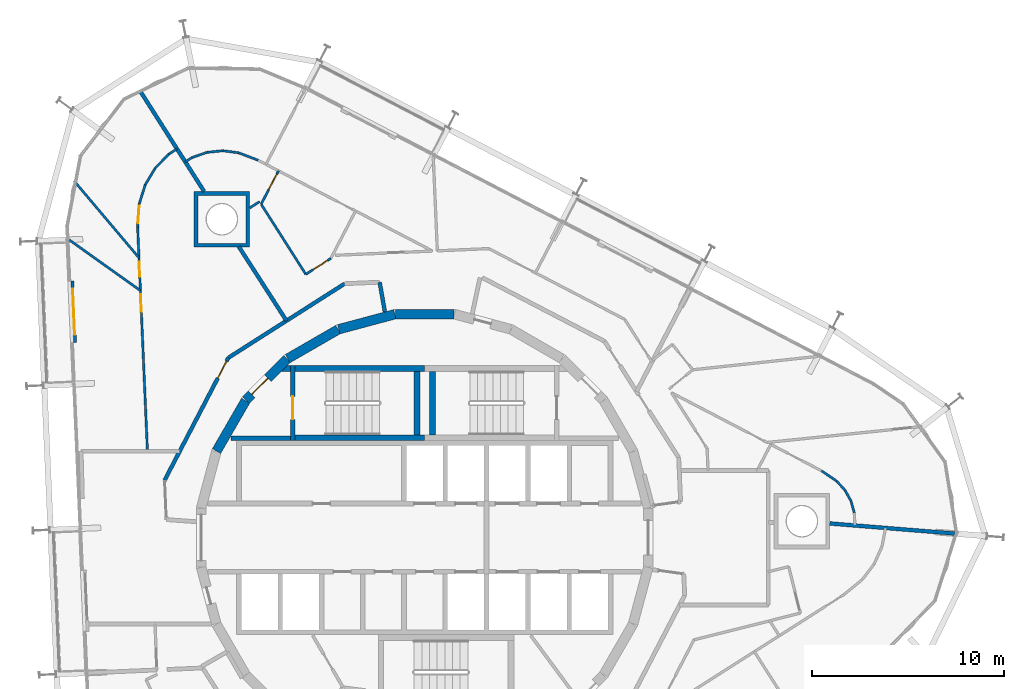
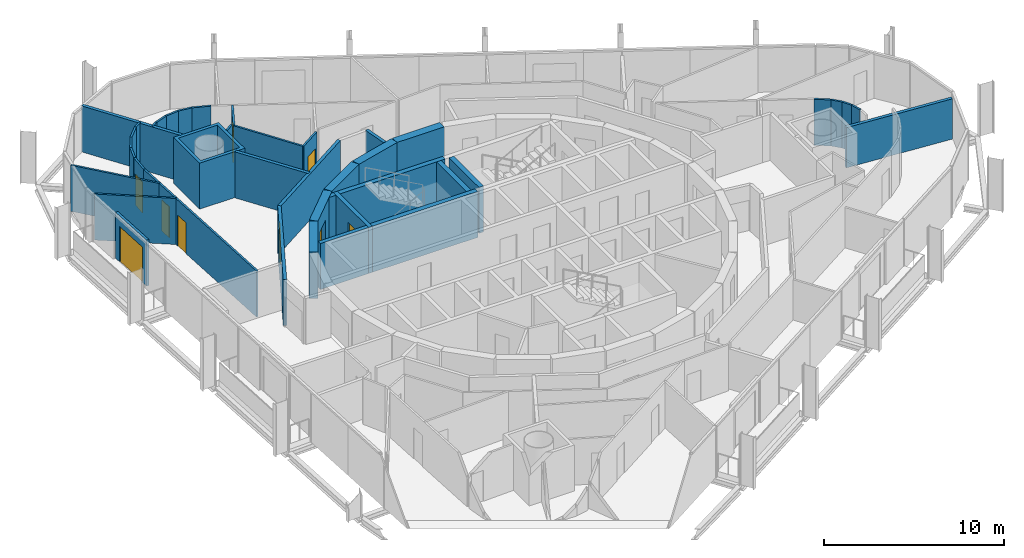
# One storey, part 15 of 18: 41 walls, 9 doors, 9 openings.
"""IFC4 building model written with IfcOpenShell, lengths in metres."""

from ifc_helpers import new_model, si_unit, direction, frame, frame_2d, origin, place, context, subcontext, project, spatial, polyline, rectangle, outline, extrude, material, layer, layer_set, type_object, element, fill, save


model = new_model("IFC4")

# Units and contexts
model_context = context("Model", 3, precision=1e-05, world=origin(), true_north=direction((0.0, 1.0)))
body_context = subcontext(model_context, "Body", "Model", "MODEL_VIEW")
ifc_project = project(units=[si_unit("LENGTHUNIT", "METRE"), si_unit("AREAUNIT", "SQUARE_METRE"), si_unit("VOLUMEUNIT", "CUBIC_METRE"), si_unit("PLANEANGLEUNIT", "RADIAN"), si_unit("MASSUNIT", "GRAM", prefix="KILO")], contexts=[model_context])

# Site, building, storey
site_placement = place(None, origin())
site = spatial("IfcSite", under=ifc_project, at=site_placement, CompositionType="ELEMENT")
building_placement = place(site_placement, origin())
building = spatial("IfcBuilding", under=site, at=building_placement, Name="Spindle Arch Residences", CompositionType="ELEMENT")
storey_placement = place(building_placement, frame((0.0, 0.0, 247.699951171875)))
storey = spatial("IfcBuildingStorey", under=building, at=storey_placement, Name="L63", CompositionType="ELEMENT", Elevation=247.699951171875)

# Walls
ifc_material_1 = material(Name="Concrete C50/60", Category="concrete")
ifc_layer_1 = layer(ifc_material_1, 0.5)
ifc_layer_set_1 = layer_set([ifc_layer_1], Name="Core outline wall 500")
wall_type_1 = type_object("IfcWallType", Name="Core outline wall 500", PredefinedType="SHEAR", material=ifc_layer_set_1)
for number, where, z_axis, x_axis, name in (
    (1, (1.516357421875, 11.647216796875, 0.0), (0.0, 0.0, 1.0), (-1.0, 0.0, 0.0), "Core outline wall 12"),
    (2, (-1.5498046875, 11.642822265625, 0.0), (0.0, 0.0, 1.0), (-0.965948410781, -0.258734743916, 0.0), "Core outline wall 13"),
    (3, (-4.510498046875, 10.84521484375, 0.0), (0.0, 0.0, 1.0), (-0.865975092491, -0.500087131594, 0.0), "Core outline wall 14"),
):
    element("IfcWall", number, at=place(storey_placement, frame(where, z_axis=z_axis, x_axis=x_axis)), inside=storey, type_object=wall_type_1, Name=name, PredefinedType="SHEAR", context=body_context, shape_type="SweptSolid", body=[
        extrude(rectangle(XDim=3.03271484375, YDim=0.5, at=frame_2d((1.516357421875, 0.0))), origin(), (0.0, 0.0, 1.0), 3.1201171875),
    ])

# Wall, opening, door
wall_1_placement = place(storey_placement, frame((-7.163818359375, 9.30810546875, 0.0), z_axis=(0.0, 0.0, 1.0), x_axis=(-0.707106781187, -0.707106781187, 0.0)))
wall_1 = element("IfcWall", 4, at=wall_1_placement, inside=storey, type_object=wall_type_1, Name="Core outline wall 15", PredefinedType="SHEAR", context=body_context, shape_type="SweptSolid", body=[
    extrude(rectangle(XDim=3.032470703125, YDim=0.5, at=frame_2d((1.51611328125, 0.0))), origin(), (0.0, 0.0, 1.0), 3.1201171875),
])
opening_1_placement = place(wall_1_placement, frame((1.416259765625, 0.0, 0.0)))
opening_1 = element("IfcOpeningElement", 5, at=opening_1_placement, cuts=wall_1, Name="Opening R6C0-AD02", PredefinedType="OPENING", context=body_context, shape_type="SweptSolid", body=[
    extrude(rectangle(XDim=1.199951171875, YDim=2.10009765625, at=frame_2d((0.60009765625, 1.050048828125))), frame((0.0, 0.260009765625, 0.0), z_axis=(0.0, -1.0, 0.0), x_axis=(1.0, 0.0, 0.0)), (0.0, 0.0, 1.0), 0.52001953125),
])
ifc_material_2 = material(Name="Steel, fire-resisting door", Category="steel")
door_type_1 = type_object("IfcDoorType", Name="Stair airlock door 1200x2100", OperationType="SINGLE_SWING_LEFT", PredefinedType="DOOR", material=ifc_material_2)
door_1_placement = place(opening_1_placement, origin())
door_1 = element("IfcDoor", 6, at=door_1_placement, inside=storey, type_object=door_type_1, Name="Stair airlock door R6C0-AD02", OperationType="SINGLE_SWING_RIGHT", OverallHeight=2.10009765625, OverallWidth=1.199951171875, PredefinedType="DOOR", context=body_context, shape_type="SweptSolid", body=[
    extrude(rectangle(XDim=1.199951171875, YDim=2.10009765625, at=frame_2d((0.60009765625, 1.050048828125))), frame((0.0, 0.02490234375, 0.0), z_axis=(0.0, -1.0, 0.0), x_axis=(1.0, 0.0, 0.0)), (0.0, 0.0, 1.0), 0.050048828125),
])
fill(opening_1, door_1)

# Walls
wall_2_placement = place(storey_placement, frame((-9.32861328125, 7.13671875, 0.0), z_axis=(0.0, 0.0, 1.0), x_axis=(-0.500087131594, -0.865975092491, 0.0)))
element("IfcWall", 7, at=wall_2_placement, inside=storey, type_object=wall_type_1, Name="Core outline wall 16", PredefinedType="SHEAR", context=body_context, shape_type="SweptSolid", body=[
    extrude(rectangle(XDim=3.03271484375, YDim=0.5, at=frame_2d((1.516357421875, 0.0))), origin(), (0.0, 0.0, 1.0), 3.1201171875),
])
ifc_material_3 = material(Name="Calcium silicate block, plastered")
ifc_layer_2 = layer(ifc_material_3, 0.199951171875)
ifc_layer_set_2 = layer_set([ifc_layer_2], Name="Corridor wall 200")
wall_type_2 = type_object("IfcWallType", Name="Corridor wall 200", PredefinedType="STANDARD", material=ifc_layer_set_2)
wall_3_placement = place(storey_placement, frame((-2.07373046875, 11.76123046875, 0.0), z_axis=(0.0, 0.0, 1.0), x_axis=(-0.173679082312, 0.984802303189, 0.0)))
element("IfcWall", 8, at=wall_3_placement, inside=storey, type_object=wall_type_2, Name="Corridor wall R6C0-W010", PredefinedType="STANDARD", context=body_context, shape_type="SweptSolid", body=[
    extrude(rectangle(XDim=1.572998046875, YDim=0.199951171875, at=frame_2d((0.78662109375, 0.0))), origin(), (0.0, 0.0, 1.0), 3.1201171875),
])
wall_4_placement = place(storey_placement, frame((-4.171630859375, 13.230712890625, 0.0), z_axis=(0.0, 0.0, 1.0), x_axis=(-0.843388394728, -0.537304397561, 0.0)))
element("IfcWall", 9, at=wall_4_placement, inside=storey, type_object=wall_type_2, Name="Corridor wall R6C0-W012", PredefinedType="STANDARD", context=body_context, shape_type="SweptSolid", body=[
    extrude(rectangle(XDim=7.180908203125, YDim=0.199951171875, at=frame_2d((3.59033203125, 0.0))), origin(), (0.0, 0.0, 1.0), 3.1201171875),
])
ifc_material_4 = material(Name="Plasterboard on steel studs", Category="steel")
ifc_layer_3 = layer(ifc_material_4, 0.1201171875)
ifc_layer_set_3 = layer_set([ifc_layer_3], Name="Flat partition 120")
wall_type_3 = type_object("IfcWallType", Name="Flat partition 120", PredefinedType="PARTITIONING", material=ifc_layer_set_3)
wall_5_placement = place(storey_placement, frame((20.67431640625, 3.4814453125, 0.0), z_axis=(0.0, 0.0, 1.0), x_axis=(0.827420148173, -0.56158338508, 0.0)))
element("IfcWall", 10, at=wall_5_placement, inside=storey, type_object=wall_type_3, Name="Flat partition R6C0-W048", PredefinedType="PARTITIONING", context=body_context, shape_type="SweptSolid", body=[
    extrude(rectangle(XDim=0.94677734375, YDim=0.1201171875, at=frame_2d((0.473388671875, 0.0))), origin(), (0.0, 0.0, 1.0), 3.1201171875),
])
for number, where, z_axis, x_axis, name in (
    (11, (21.457763671875, 2.94970703125, 0.0), (0.0, 0.0, 1.0), (0.675621263191, -0.737248878415, 0.0), "Flat partition R6C0-W049"),
    (12, (21.891357421875, 2.4765625, 0.0), (0.0, 0.0, 1.0), (0.487224522605, -0.87327673997, 0.0), "Flat partition R6C0-W050"),
):
    element("IfcWall", number, at=place(storey_placement, frame(where, z_axis=z_axis, x_axis=x_axis)), inside=storey, type_object=wall_type_3, Name=name, PredefinedType="PARTITIONING", context=body_context, shape_type="SweptSolid", body=[
        extrude(rectangle(XDim=0.641845703125, YDim=0.1201171875, at=frame_2d((0.32080078125, 0.0))), origin(), (0.0, 0.0, 1.0), 3.1201171875),
    ])
wall_6_placement = place(storey_placement, frame((22.2041015625, 1.916015625, 0.0), z_axis=(0.0, 0.0, 1.0), x_axis=(0.273013196411, -0.962010288191, 0.0)))
element("IfcWall", 13, at=wall_6_placement, inside=storey, type_object=wall_type_3, Name="Flat partition R6C0-W051", PredefinedType="PARTITIONING", context=body_context, shape_type="SweptSolid", body=[
    extrude(rectangle(XDim=0.64208984375, YDim=0.1201171875, at=frame_2d((0.321044921875, 0.0))), origin(), (0.0, 0.0, 1.0), 3.1201171875),
])

# Wall, opening, door
wall_7_placement = place(storey_placement, frame((-4.88818359375, 14.552734375, 0.0), z_axis=(0.0, 0.0, 1.0), x_axis=(-0.843349608892, -0.537365273517, 0.0)))
wall_7 = element("IfcWall", 14, at=wall_7_placement, inside=storey, type_object=wall_type_3, Name="Flat partition R6C0-W061", PredefinedType="PARTITIONING", context=body_context, shape_type="SweptSolid", body=[
    extrude(rectangle(XDim=1.5478515625, YDim=0.1201171875, at=frame_2d((0.77392578125, 0.0))), origin(), (0.0, 0.0, 1.0), 3.1201171875),
])
opening_2_placement = place(wall_7_placement, frame((0.199951171875, 0.0, 0.0)))
opening_2 = element("IfcOpeningElement", 15, at=opening_2_placement, cuts=wall_7, Name="Opening R6C0-ID08", PredefinedType="OPENING", context=body_context, shape_type="SweptSolid", body=[
    extrude(rectangle(XDim=0.89990234375, YDim=2.10009765625, at=frame_2d((0.449951171875, 1.050048828125))), frame((0.0, 0.070068359375, 0.0), z_axis=(0.0, -1.0, 0.0), x_axis=(1.0, 0.0, 0.0)), (0.0, 0.0, 1.0), 0.14013671875),
])
ifc_material_5 = material(Name="Timber door set", Category="wood")
door_type_2 = type_object("IfcDoorType", Name="Room door 900x2100", OperationType="NOTDEFINED", PredefinedType="DOOR", material=ifc_material_5)
door_2_placement = place(opening_2_placement, origin())
door_2 = element("IfcDoor", 16, at=door_2_placement, inside=storey, type_object=door_type_2, Name="Room door R6C0-ID08", OperationType="SINGLE_SWING_RIGHT", OverallHeight=2.10009765625, OverallWidth=0.89990234375, PredefinedType="DOOR", context=body_context, shape_type="SweptSolid", body=[
    extrude(rectangle(XDim=0.89990234375, YDim=2.10009765625, at=frame_2d((0.449951171875, 1.050048828125))), frame((0.0, 0.02490234375, 0.0), z_axis=(0.0, -1.0, 0.0), x_axis=(1.0, 0.0, 0.0)), (0.0, 0.0, 1.0), 0.050048828125),
])
fill(opening_2, door_2)

# Walls
wall_8_placement = place(storey_placement, frame((-6.193603515625, 13.720947265625, 0.0), z_axis=(0.0, 0.0, 1.0), x_axis=(-0.537316807294, 0.843380488629, 0.0)))
element("IfcWall", 17, at=wall_8_placement, inside=storey, type_object=wall_type_3, Name="Flat partition R6C0-W062", PredefinedType="PARTITIONING", context=body_context, shape_type="SweptSolid", body=[
    extrude(rectangle(XDim=4.33056640625, YDim=0.1201171875, at=frame_2d((2.165283203125, 0.0))), origin(), (0.0, 0.0, 1.0), 3.1201171875),
])
wall_9_placement = place(storey_placement, frame((-8.603515625, 17.50390625, 0.0), z_axis=(0.0, 0.0, 1.0), x_axis=(-0.843265746233, -0.537496866251, 0.0)))
element("IfcWall", 18, at=wall_9_placement, inside=storey, type_object=wall_type_3, Name="Flat partition R6C0-W063", PredefinedType="PARTITIONING", context=body_context, shape_type="SweptSolid", body=[
    extrude(rectangle(XDim=0.610107421875, YDim=0.1201171875, at=frame_2d((0.30517578125, 0.0))), origin(), (0.0, 0.0, 1.0), 3.1201171875),
])

# Wall, opening, door
wall_10_placement = place(storey_placement, frame((-7.6162109375, 19.1103515625, 0.0), z_axis=(0.0, 0.0, 1.0), x_axis=(-0.461764840073, -0.887002385832, 0.0)))
wall_10 = element("IfcWall", 19, at=wall_10_placement, inside=storey, type_object=wall_type_3, Name="Flat partition R6C0-W069", PredefinedType="PARTITIONING", context=body_context, shape_type="SweptSolid", body=[
    extrude(rectangle(XDim=1.958251953125, YDim=0.1201171875, at=frame_2d((0.97900390625, 0.0))), origin(), (0.0, 0.0, 1.0), 3.1201171875),
])
opening_3_placement = place(wall_10_placement, frame((0.199951171875, 0.0, 0.0)))
opening_3 = element("IfcOpeningElement", 20, at=opening_3_placement, cuts=wall_10, Name="Opening R6C0-ID11", PredefinedType="OPENING", context=body_context, shape_type="SweptSolid", body=[
    extrude(rectangle(XDim=0.89990234375, YDim=2.10009765625, at=frame_2d((0.449951171875, 1.050048828125))), frame((0.0, 0.070068359375, 0.0), z_axis=(0.0, -1.0, 0.0), x_axis=(1.0, 0.0, 0.0)), (0.0, 0.0, 1.0), 0.14013671875),
])
door_3_placement = place(opening_3_placement, origin())
door_3 = element("IfcDoor", 21, at=door_3_placement, inside=storey, type_object=door_type_2, Name="Room door R6C0-ID11", OperationType="SINGLE_SWING_RIGHT", OverallHeight=2.10009765625, OverallWidth=0.89990234375, PredefinedType="DOOR", context=body_context, shape_type="SweptSolid", body=[
    extrude(rectangle(XDim=0.89990234375, YDim=2.10009765625, at=frame_2d((0.449951171875, 1.050048828125))), frame((0.0, 0.02490234375, 0.0), z_axis=(0.0, -1.0, 0.0), x_axis=(1.0, 0.0, 0.0)), (0.0, 0.0, 1.0), 0.050048828125),
])
fill(opening_3, door_3)

# Walls
wall_11_placement = place(storey_placement, frame((-12.47314453125, 19.5791015625, 0.0), z_axis=(0.0, 0.0, 1.0), x_axis=(0.843467404643, 0.537180358264, 0.0)))
element("IfcWall", 22, at=wall_11_placement, inside=storey, type_object=wall_type_3, Name="Flat partition R6C0-W070", PredefinedType="PARTITIONING", context=body_context, shape_type="SweptSolid", body=[
    extrude(rectangle(XDim=0.41455078125, YDim=0.1201171875, at=frame_2d((0.207275390625, 0.0))), origin(), (0.0, 0.0, 1.0), 3.1201171875),
])
for number, where, z_axis, x_axis, name in (
    (23, (-12.12353515625, 19.8017578125, 0.0), (0.0, 0.0, 1.0), (0.944540495207, 0.328394964813, 0.0), "Flat partition R6C0-W071"),
    (24, (-11.340576171875, 20.073974609375, 0.0), (0.0, 0.0, 1.0), (0.994821992483, 0.101632688009, 0.0), "Flat partition R6C0-W072"),
    (25, (-10.51611328125, 20.158203125, 0.0), (0.0, 0.0, 1.0), (0.991412138518, -0.130774506685, 0.0), "Flat partition R6C0-W073"),
):
    element("IfcWall", number, at=place(storey_placement, frame(where, z_axis=z_axis, x_axis=x_axis)), inside=storey, type_object=wall_type_3, Name=name, PredefinedType="PARTITIONING", context=body_context, shape_type="SweptSolid", body=[
        extrude(rectangle(XDim=0.828857421875, YDim=0.1201171875, at=frame_2d((0.41455078125, 0.0))), origin(), (0.0, 0.0, 1.0), 3.1201171875),
    ])
wall_12_placement = place(storey_placement, frame((-9.6943359375, 20.0498046875, 0.0), z_axis=(0.0, 0.0, 1.0), x_axis=(0.934647766222, -0.35557496129, 0.0)))
element("IfcWall", 26, at=wall_12_placement, inside=storey, type_object=wall_type_3, Name="Flat partition R6C0-W074", PredefinedType="PARTITIONING", context=body_context, shape_type="SweptSolid", body=[
    extrude(rectangle(XDim=1.0869140625, YDim=0.1201171875, at=frame_2d((0.54345703125, 0.0))), origin(), (0.0, 0.0, 1.0), 3.1201171875),
])
wall_13_placement = place(storey_placement, frame((-12.903076171875, 20.253662109375, 0.0), z_axis=(0.0, 0.0, 1.0), x_axis=(-0.843404143432, -0.537279676557, 0.0)))
element("IfcWall", 27, at=wall_13_placement, inside=storey, type_object=wall_type_3, Name="Flat partition R6C0-W075", PredefinedType="PARTITIONING", context=body_context, shape_type="SweptSolid", body=[
    extrude(rectangle(XDim=0.508056640625, YDim=0.1201171875, at=frame_2d((0.25390625, 0.0))), origin(), (0.0, 0.0, 1.0), 3.1201171875),
])
for number, where, z_axis, x_axis, name in (
    (28, (-13.33154296875, 19.980712890625, 0.0), (0.0, 0.0, 1.0), (-0.69669736192, -0.717365169138, 0.0), "Flat partition R6C0-W076"),
    (29, (-14.039306640625, 19.251953125, 0.0), (0.0, 0.0, 1.0), (-0.512586118981, -0.858635819558, 0.0), "Flat partition R6C0-W077"),
    (30, (-14.56005859375, 18.379638671875, 0.0), (0.0, 0.0, 1.0), (-0.300682714382, -0.953724229152, 0.0), "Flat partition R6C0-W078"),
):
    element("IfcWall", number, at=place(storey_placement, frame(where, z_axis=z_axis, x_axis=x_axis)), inside=storey, type_object=wall_type_3, Name=name, PredefinedType="PARTITIONING", context=body_context, shape_type="SweptSolid", body=[
        extrude(rectangle(XDim=1.015869140625, YDim=0.1201171875, at=frame_2d((0.5078125, 0.0))), origin(), (0.0, 0.0, 1.0), 3.1201171875),
    ])

# Wall, opening, door
wall_14_placement = place(storey_placement, frame((-14.865478515625, 17.410888671875, 0.0), z_axis=(0.0, 0.0, 1.0), x_axis=(-0.072618457011, -0.997359794508, 0.0)))
wall_14 = element("IfcWall", 31, at=wall_14_placement, inside=storey, type_object=wall_type_3, Name="Flat partition R6C0-W079", PredefinedType="PARTITIONING", context=body_context, shape_type="SweptSolid", body=[
    extrude(rectangle(XDim=1.22705078125, YDim=0.1201171875, at=frame_2d((0.613525390625, 0.0))), origin(), (0.0, 0.0, 1.0), 3.1201171875),
])
opening_4_placement = place(wall_14_placement, frame((0.1201171875, 0.0, 0.0)))
opening_4 = element("IfcOpeningElement", 32, at=opening_4_placement, cuts=wall_14, Name="Opening R6C0-ID12", PredefinedType="OPENING", context=body_context, shape_type="SweptSolid", body=[
    extrude(rectangle(XDim=0.89990234375, YDim=2.10009765625, at=frame_2d((0.449951171875, 1.050048828125))), frame((0.0, 0.070068359375, 0.0), z_axis=(0.0, -1.0, 0.0), x_axis=(1.0, 0.0, 0.0)), (0.0, 0.0, 1.0), 0.14013671875),
])
door_4_placement = place(opening_4_placement, origin())
door_4 = element("IfcDoor", 33, at=door_4_placement, inside=storey, type_object=door_type_2, Name="Room door R6C0-ID12", OperationType="SINGLE_SWING_LEFT", OverallHeight=2.10009765625, OverallWidth=0.89990234375, PredefinedType="DOOR", context=body_context, shape_type="SweptSolid", body=[
    extrude(rectangle(XDim=0.89990234375, YDim=2.10009765625, at=frame_2d((0.449951171875, 1.050048828125))), frame((0.0, 0.02490234375, 0.0), z_axis=(0.0, -1.0, 0.0), x_axis=(1.0, 0.0, 0.0)), (0.0, 0.0, 1.0), 0.050048828125),
])
fill(opening_4, door_4)

# Wall, openings, doors
wall_15_placement = place(storey_placement, frame((-14.95458984375, 16.18701171875, 0.0), z_axis=(0.0, 0.0, 1.0), x_axis=(0.04360777668, -0.999048728448, 0.0)))
wall_15 = element("IfcWall", 34, at=wall_15_placement, inside=storey, type_object=wall_type_3, Name="Flat partition R6C0-W080", PredefinedType="PARTITIONING", context=body_context, shape_type="SweptSolid", body=[
    extrude(rectangle(XDim=11.6787109375, YDim=0.1201171875, at=frame_2d((5.83935546875, 0.0))), origin(), (0.0, 0.0, 1.0), 3.1201171875),
])
opening_5_placement = place(wall_15_placement, frame((1.807861328125, 0.0, 0.0)))
opening_5 = element("IfcOpeningElement", 35, at=opening_5_placement, cuts=wall_15, Name="Opening R6C0-BD03", PredefinedType="OPENING", context=body_context, shape_type="SweptSolid", body=[
    extrude(rectangle(XDim=0.800048828125, YDim=2.10009765625, at=frame_2d((0.39990234375, 1.050048828125))), frame((0.0, 0.070068359375, 0.0), z_axis=(0.0, -1.0, 0.0), x_axis=(1.0, 0.0, 0.0)), (0.0, 0.0, 1.0), 0.14013671875),
])
opening_6_placement = place(wall_15_placement, frame((3.519287109375, 0.0, 0.0)))
opening_6 = element("IfcOpeningElement", 36, at=opening_6_placement, cuts=wall_15, Name="Opening R6C0-ID13", PredefinedType="OPENING", context=body_context, shape_type="SweptSolid", body=[
    extrude(rectangle(XDim=0.89990234375, YDim=2.10009765625, at=frame_2d((0.449951171875, 1.050048828125))), frame((0.0, 0.070068359375, 0.0), z_axis=(0.0, -1.0, 0.0), x_axis=(1.0, 0.0, 0.0)), (0.0, 0.0, 1.0), 0.14013671875),
])
ifc_material_6 = material(Name="Timber door set", Category="wood")
door_type_3 = type_object("IfcDoorType", Name="Bathroom door 800x2100", OperationType="NOTDEFINED", PredefinedType="DOOR", material=ifc_material_6)
door_5_placement = place(opening_5_placement, origin())
door_5 = element("IfcDoor", 37, at=door_5_placement, inside=storey, type_object=door_type_3, Name="Bathroom door R6C0-BD03", OperationType="SINGLE_SWING_LEFT", OverallHeight=2.10009765625, OverallWidth=0.800048828125, PredefinedType="DOOR", context=body_context, shape_type="SweptSolid", body=[
    extrude(rectangle(XDim=0.800048828125, YDim=2.10009765625, at=frame_2d((0.39990234375, 1.050048828125))), frame((0.0, 0.02490234375, 0.0), z_axis=(0.0, -1.0, 0.0), x_axis=(1.0, 0.0, 0.0)), (0.0, 0.0, 1.0), 0.050048828125),
])
fill(opening_5, door_5)
door_6_placement = place(opening_6_placement, origin())
door_6 = element("IfcDoor", 38, at=door_6_placement, inside=storey, type_object=door_type_2, Name="Room door R6C0-ID13", OperationType="SINGLE_SWING_LEFT", OverallHeight=2.10009765625, OverallWidth=0.89990234375, PredefinedType="DOOR", context=body_context, shape_type="SweptSolid", body=[
    extrude(rectangle(XDim=0.89990234375, YDim=2.10009765625, at=frame_2d((0.449951171875, 1.050048828125))), frame((0.0, 0.02490234375, 0.0), z_axis=(0.0, -1.0, 0.0), x_axis=(1.0, 0.0, 0.0)), (0.0, 0.0, 1.0), 0.050048828125),
])
fill(opening_6, door_6)

# Walls
wall_16_placement = place(storey_placement, frame((-18.268798828125, 18.5888671875, 0.0), z_axis=(0.0, 0.0, 1.0), x_axis=(0.645124067673, -0.764077834588, 0.0)))
element("IfcWall", 39, at=wall_16_placement, inside=storey, type_object=wall_type_3, Name="Flat partition R6C0-W081", PredefinedType="PARTITIONING", context=body_context, shape_type="SweptSolid", body=[
    extrude(rectangle(XDim=5.245849609375, YDim=0.1201171875, at=frame_2d((2.623046875, 0.0))), origin(), (0.0, 0.0, 1.0), 3.1201171875),
])
wall_17_placement = place(storey_placement, frame((-18.529052734375, 15.521728515625, 0.0), z_axis=(0.0, 0.0, 1.0), x_axis=(0.814350646776, -0.580373176582, 0.0)))
element("IfcWall", 40, at=wall_17_placement, inside=storey, type_object=wall_type_3, Name="Flat partition R6C0-W082", PredefinedType="PARTITIONING", context=body_context, shape_type="SweptSolid", body=[
    extrude(rectangle(XDim=4.567138671875, YDim=0.1201171875, at=frame_2d((2.28369140625, 0.0))), origin(), (0.0, 0.0, 1.0), 3.1201171875),
])
ifc_material_7 = material(Name="Calcium silicate block, plastered")
ifc_layer_4 = layer(ifc_material_7, 0.199951171875)
ifc_layer_set_4 = layer_set([ifc_layer_4], Name="Flat party wall 200")
wall_type_4 = type_object("IfcWallType", Name="Flat party wall 200", PredefinedType="STANDARD", material=ifc_layer_set_4)
wall_18_placement = place(storey_placement, frame((-9.68994140625, 15.1708984375, 0.0), z_axis=(0.0, 0.0, 1.0), x_axis=(0.540961372678, -0.841047438181, 0.0)))
element("IfcWall", 41, at=wall_18_placement, inside=storey, type_object=wall_type_4, Name="Flat party wall R6C0-W033", PredefinedType="STANDARD", context=body_context, shape_type="SweptSolid", body=[
    extrude(rectangle(XDim=4.6015625, YDim=0.199951171875, at=frame_2d((2.30078125, 0.0))), origin(), (0.0, 0.0, 1.0), 3.1201171875),
])
wall_19_placement = place(storey_placement, frame((-14.83740234375, 23.289794921875, 0.0), z_axis=(0.0, 0.0, 1.0), x_axis=(0.537316863221, -0.843380452998, 0.0)))
element("IfcWall", 42, at=wall_19_placement, inside=storey, type_object=wall_type_4, Name="Flat party wall R6C0-W034", PredefinedType="STANDARD", context=body_context, shape_type="SweptSolid", body=[
    extrude(rectangle(XDim=6.226806640625, YDim=0.199951171875, at=frame_2d((3.11328125, 0.0))), origin(), (0.0, 0.0, 1.0), 3.1201171875),
])
ifc_material_8 = material(Name="Calcium silicate block, plastered")
ifc_layer_5 = layer(ifc_material_8, 0.199951171875)
ifc_layer_set_5 = layer_set([ifc_layer_5], Name="Flat party wall 200 under beam 2730")
wall_type_5 = type_object("IfcWallType", Name="Flat party wall 200 under beam 2730", PredefinedType="STANDARD", material=ifc_layer_set_5)
wall_20_placement = place(storey_placement, frame((21.10009765625, 0.74072265625, 0.0), z_axis=(0.0, 0.0, 1.0), x_axis=(0.996750718609, -0.080548153006, 0.0)))
element("IfcWall", 43, at=wall_20_placement, inside=storey, type_object=wall_type_5, Name="Flat party wall R6C0-W031", PredefinedType="STANDARD", context=body_context, shape_type="SweptSolid", body=[
    extrude(rectangle(XDim=6.537841796875, YDim=0.199951171875, at=frame_2d((3.26904296875, 0.0))), origin(), (0.0, 0.0, 1.0), 2.72998046875),
])

# Wall, opening, door
ifc_material_9 = material(Name="Non-combustible mineral wool insulated aluminium faced external wall (K0)", Category="aluminium")
ifc_layer_6 = layer(ifc_material_9, 0.159912109375)
ifc_layer_set_6 = layer_set([ifc_layer_6], Name="Insulated external wall panel 160")
wall_type_6 = type_object("IfcWallType", Name="Insulated external wall panel 160", PredefinedType="STANDARD", material=ifc_layer_set_6)
wall_21_placement = place(storey_placement, frame((-18.354736328125, 13.3623046875, 0.0), z_axis=(0.0, 0.0, 1.0), x_axis=(0.043639181999, -0.999047357133, 0.0)))
wall_21 = element("IfcWall", 44, at=wall_21_placement, inside=storey, type_object=wall_type_6, Name="External wall L63 bay 13", PredefinedType="STANDARD", context=body_context, shape_type="SweptSolid", body=[
    extrude(rectangle(XDim=3.199951171875, YDim=0.159912109375, at=frame_2d((1.60009765625, 0.0))), origin(), (0.0, 0.0, 1.0), 3.1201171875),
])
opening_7_placement = place(wall_21_placement, frame((0.39990234375, 0.0, 0.0)))
opening_7 = element("IfcOpeningElement", 45, at=opening_7_placement, cuts=wall_21, Name="Opening BD13", PredefinedType="OPENING", context=body_context, shape_type="SweptSolid", body=[
    extrude(rectangle(XDim=2.39990234375, YDim=2.39990234375, at=frame_2d((1.199951171875, 1.199951171875))), frame((0.0, 0.08984375, 0.0), z_axis=(0.0, -1.0, 0.0), x_axis=(1.0, 0.0, 0.0)), (0.0, 0.0, 1.0), 0.179931640625),
])
ifc_material_10 = material(Name="Bronze aluminium frame, tinted double glazing", Category="aluminium")
door_type_4 = type_object("IfcDoorType", Name="Sliding glazed balcony door 2400x2400", OperationType="DOUBLE_DOOR_SLIDING", PredefinedType="DOOR", material=ifc_material_10)
door_7_placement = place(opening_7_placement, origin())
door_7 = element("IfcDoor", 46, at=door_7_placement, inside=storey, type_object=door_type_4, Name="Balcony door BD13", OperationType="DOUBLE_DOOR_SLIDING", OverallHeight=2.39990234375, OverallWidth=2.39990234375, PredefinedType="DOOR", context=body_context, shape_type="SweptSolid", body=[
    extrude(rectangle(XDim=2.39990234375, YDim=2.39990234375, at=frame_2d((1.199951171875, 1.199951171875))), frame((0.0, 0.02490234375, 0.0), z_axis=(0.0, -1.0, 0.0), x_axis=(1.0, 0.0, 0.0)), (0.0, 0.0, 1.0), 0.050048828125),
])
fill(opening_7, door_7)

ifc_material_11 = material(Name="Calcium silicate block, plastered")
ifc_layer_7 = layer(ifc_material_11, 0.199951171875)
ifc_layer_set_7 = layer_set([ifc_layer_7], Name="Lift lobby bay wall 200")
wall_type_7 = type_object("IfcWallType", Name="Lift lobby bay wall 200", PredefinedType="STANDARD", material=ifc_layer_set_7)
wall_22_placement = place(storey_placement, frame((-10.22802734375, 9.372314453125, 0.0), z_axis=(0.0, 0.0, 1.0), x_axis=(-0.461759464021, -0.887005184532, 0.0)))
wall_22 = element("IfcWall", 47, at=wall_22_placement, inside=storey, type_object=wall_type_7, Name="Lift lobby bay wall R6C0-W007", PredefinedType="STANDARD", context=body_context, shape_type="SweptSolid", body=[
    extrude(rectangle(XDim=7.18115234375, YDim=0.199951171875, at=frame_2d((3.590576171875, 0.0))), origin(), (0.0, 0.0, 1.0), 3.1201171875),
])
opening_8_placement = place(wall_22_placement, frame((0.199951171875, 0.0, 0.0)))
opening_8 = element("IfcOpeningElement", 48, at=opening_8_placement, cuts=wall_22, Name="Opening R6C0-FD03", PredefinedType="OPENING", context=body_context, shape_type="SweptSolid", body=[
    extrude(rectangle(XDim=1.0, YDim=2.10009765625, at=frame_2d((0.5, 1.050048828125))), frame((0.0, 0.10986328125, 0.0), z_axis=(0.0, -1.0, 0.0), x_axis=(1.0, 0.0, 0.0)), (0.0, 0.0, 1.0), 0.219970703125),
])
ifc_material_12 = material(Name="Timber, fire-resisting door set", Category="wood")
door_type_5 = type_object("IfcDoorType", Name="Flat entrance door 1000x2100", OperationType="NOTDEFINED", PredefinedType="DOOR", material=ifc_material_12)
door_8_placement = place(opening_8_placement, origin())
door_8 = element("IfcDoor", 49, at=door_8_placement, inside=storey, type_object=door_type_5, Name="Flat entrance door R6C0-FD03", OperationType="SINGLE_SWING_LEFT", OverallHeight=2.10009765625, OverallWidth=1.0, PredefinedType="DOOR", context=body_context, shape_type="SweptSolid", body=[
    extrude(rectangle(XDim=1.0, YDim=2.10009765625, at=frame_2d((0.5, 1.050048828125))), frame((0.0, 0.02490234375, 0.0), z_axis=(0.0, -1.0, 0.0), x_axis=(1.0, 0.0, 0.0)), (0.0, 0.0, 1.0), 0.050048828125),
])
fill(opening_8, door_8)

# Walls
ifc_material_13 = material(Name="Calcium silicate block, plastered")
ifc_layer_8 = layer(ifc_material_13, 0.199951171875)
ifc_layer_set_8 = layer_set([ifc_layer_8], Name="Mega-column casing wall 200")
wall_type_8 = type_object("IfcWallType", Name="Mega-column casing wall 200", PredefinedType="STANDARD", material=ifc_layer_set_8)
wall_23_placement = place(storey_placement, origin())
element("IfcWall", 50, at=wall_23_placement, inside=storey, type_object=wall_type_8, Name="Mega-column casing wall R6C0-WC02", PredefinedType="STANDARD", context=body_context, shape_type="SweptSolid", body=[
    extrude(outline(polyline([(-9.117919921875, 18.038330078125), (-9.117919921875, 15.138427734375), (-12.01806640625, 15.138427734375), (-12.01806640625, 18.038330078125), (-9.117919921875, 18.038330078125)]), holes=[polyline([(-11.818115234375, 15.33837890625), (-9.318115234375, 15.33837890625), (-9.318115234375, 17.83837890625), (-11.818115234375, 17.83837890625), (-11.818115234375, 15.33837890625)])]), origin(), (0.0, 0.0, 1.0), 3.1201171875),
])
ifc_material_14 = material(Name="Concrete C40/50", Category="concrete")
ifc_layer_9 = layer(ifc_material_14, 0.25)
ifc_layer_set_9 = layer_set([ifc_layer_9], Name="Stair airlock wall 250")
wall_type_9 = type_object("IfcWallType", Name="Stair airlock wall 250", PredefinedType="SHEAR", material=ifc_layer_set_9)
wall_24_placement = place(storey_placement, frame((-7.0, 5.175048828125, 0.0), z_axis=(0.0, 0.0, 1.0), x_axis=(-1.0, 0.0, 0.0)))
element("IfcWall", 51, at=wall_24_placement, inside=storey, type_object=wall_type_9, Name="Stair ST-2 airlock wall S", PredefinedType="SHEAR", context=body_context, shape_type="SweptSolid", body=[
    extrude(rectangle(XDim=3.10009765625, YDim=0.25, at=frame_2d((1.550048828125, 0.0))), origin(), (0.0, 0.0, 1.0), 3.1201171875),
])
ifc_material_15 = material(Name="Concrete C40/50", Category="concrete")
wall_type_10 = type_object("IfcWallType", Name="Stair airlock wall profile", PredefinedType="SHEAR", material=ifc_material_15)
wall_25_placement = place(storey_placement, origin())
element("IfcWall", 52, at=wall_25_placement, inside=storey, type_object=wall_type_10, Name="Stair ST-2 airlock wall N", PredefinedType="SHEAR", context=body_context, shape_type="SweptSolid", body=[
    extrude(outline(polyline([(-7.148193359375, 8.969970703125), (-7.0, 8.969970703125), (-7.0, 8.669921875), (-7.4482421875, 8.669921875), (-7.148193359375, 8.969970703125)])), origin(), (0.0, 0.0, 1.0), 3.1201171875),
])

# Wall, opening, door
ifc_material_16 = material(Name="Concrete C50/60", Category="concrete")
ifc_layer_10 = layer(ifc_material_16, 0.25)
ifc_layer_set_10 = layer_set([ifc_layer_10], Name="Stair enclosure wall 250")
wall_type_11 = type_object("IfcWallType", Name="Stair enclosure wall 250", PredefinedType="SHEAR", material=ifc_layer_set_10)
wall_26_placement = place(storey_placement, frame((-6.875, 8.969970703125, 0.0), z_axis=(0.0, 0.0, 1.0), x_axis=(0.0, -1.0, 0.0)))
wall_26 = element("IfcWall", 53, at=wall_26_placement, inside=storey, type_object=wall_type_11, Name="Stair ST-2 door wall", PredefinedType="SHEAR", context=body_context, shape_type="SweptSolid", body=[
    extrude(rectangle(XDim=3.919921875, YDim=0.25, at=frame_2d((1.9599609375, 0.0))), origin(), (0.0, 0.0, 1.0), 3.1201171875),
])
opening_9_placement = place(wall_26_placement, frame((1.610107421875, 0.0, 0.0)))
opening_9 = element("IfcOpeningElement", 54, at=opening_9_placement, cuts=wall_26, Name="Opening R6C0-SD02", PredefinedType="OPENING", context=body_context, shape_type="SweptSolid", body=[
    extrude(rectangle(XDim=1.199951171875, YDim=2.10009765625, at=frame_2d((0.60009765625, 1.050048828125))), frame((0.0, 0.135009765625, 0.0), z_axis=(0.0, -1.0, 0.0), x_axis=(1.0, 0.0, 0.0)), (0.0, 0.0, 1.0), 0.27001953125),
])
ifc_material_17 = material(Name="Steel, fire-resisting door", Category="steel")
door_type_6 = type_object("IfcDoorType", Name="Stair door 1200x2100", OperationType="SINGLE_SWING_RIGHT", PredefinedType="DOOR", material=ifc_material_17)
door_9_placement = place(opening_9_placement, origin())
door_9 = element("IfcDoor", 55, at=door_9_placement, inside=storey, type_object=door_type_6, Name="Stair door R6C0-SD02", OperationType="SINGLE_SWING_LEFT", OverallHeight=2.10009765625, OverallWidth=1.199951171875, PredefinedType="DOOR", context=body_context, shape_type="SweptSolid", body=[
    extrude(rectangle(XDim=1.199951171875, YDim=2.10009765625, at=frame_2d((0.60009765625, 1.050048828125))), frame((0.0, 0.02490234375, 0.0), z_axis=(0.0, -1.0, 0.0), x_axis=(1.0, 0.0, 0.0)), (0.0, 0.0, 1.0), 0.050048828125),
])
fill(opening_9, door_9)

# Walls
ifc_material_18 = material(Name="Concrete C50/60", Category="concrete")
ifc_layer_11 = layer(ifc_material_18, 0.300048828125)
ifc_layer_set_11 = layer_set([ifc_layer_11], Name="Stair enclosure wall 300")
wall_type_12 = type_object("IfcWallType", Name="Stair enclosure wall 300", PredefinedType="SHEAR", material=ifc_layer_set_11)
wall_27_placement = place(storey_placement, frame((0.39990234375, 5.35009765625, 0.0), z_axis=(0.0, 0.0, 1.0), x_axis=(0.0, 1.0, 0.0)))
element("IfcWall", 56, at=wall_27_placement, inside=storey, type_object=wall_type_12, Name="Stair ST-1 enclosure wall F", PredefinedType="SHEAR", context=body_context, shape_type="SweptSolid", body=[
    extrude(rectangle(XDim=3.31982421875, YDim=0.300048828125, at=frame_2d((1.659912109375, 0.0))), origin(), (0.0, 0.0, 1.0), 3.1201171875),
])
for number, where, z_axis, x_axis, name in (
    (57, (-6.75, 5.199951171875, 0.0), (0.0, 0.0, 1.0), (1.0, 0.0, 0.0), "Stair ST-2 enclosure wall S"),
    (58, (-6.75, 8.820068359375, 0.0), (0.0, 0.0, 1.0), (1.0, 0.0, 0.0), "Stair ST-2 enclosure wall N"),
):
    element("IfcWall", number, at=place(storey_placement, frame(where, z_axis=z_axis, x_axis=x_axis)), inside=storey, type_object=wall_type_12, Name=name, PredefinedType="SHEAR", context=body_context, shape_type="SweptSolid", body=[
        extrude(rectangle(XDim=6.75, YDim=0.300048828125, at=frame_2d((3.375, 0.0))), origin(), (0.0, 0.0, 1.0), 3.1201171875),
    ])
wall_28_placement = place(storey_placement, frame((-0.39990234375, 5.35009765625, 0.0), z_axis=(0.0, 0.0, 1.0), x_axis=(0.0, 1.0, 0.0)))
element("IfcWall", 59, at=wall_28_placement, inside=storey, type_object=wall_type_12, Name="Stair ST-2 enclosure wall F", PredefinedType="SHEAR", context=body_context, shape_type="SweptSolid", body=[
    extrude(rectangle(XDim=3.31982421875, YDim=0.300048828125, at=frame_2d((1.659912109375, 0.0))), origin(), (0.0, 0.0, 1.0), 3.1201171875),
])

save(model, "model.ifc")
